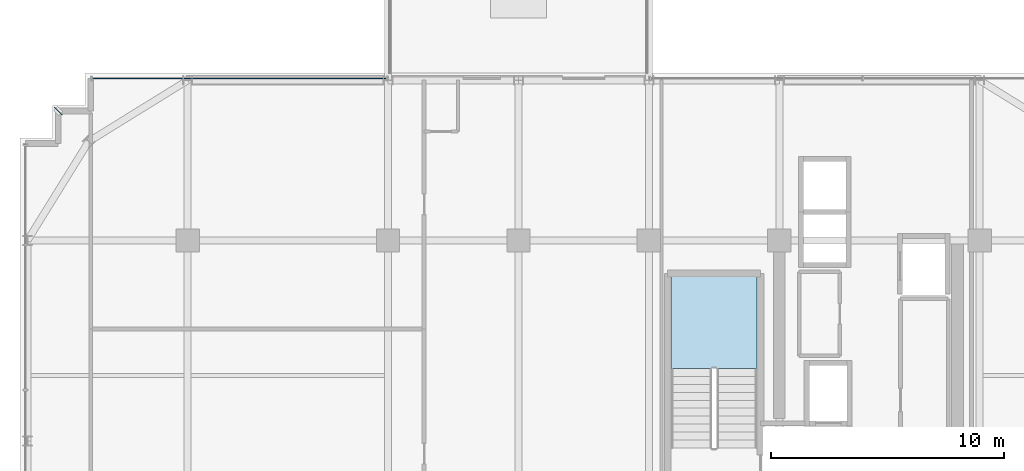
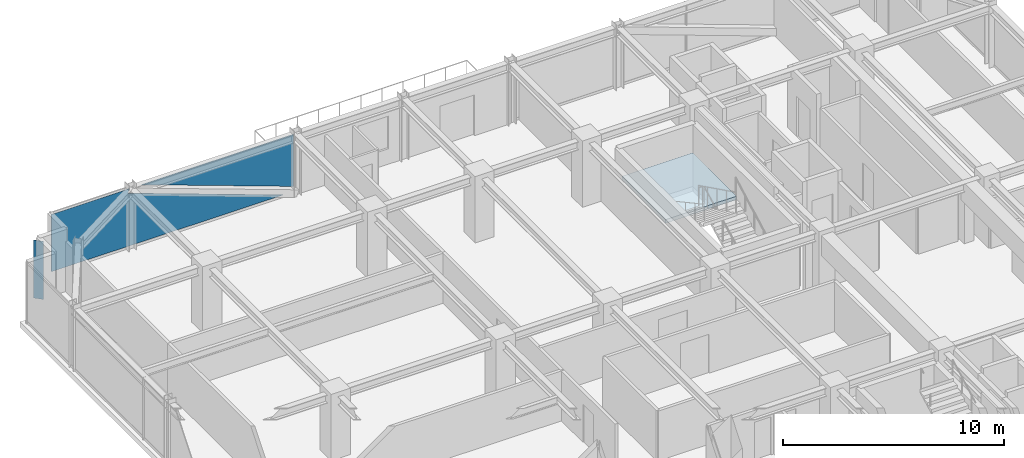
# One storey, part 33 of 42: 2 plates, 1 slab, 2 elements without a shape of their own.
"""IFC4 building model written with IfcOpenShell, lengths in metres."""

from ifc_helpers import new_model, si_unit, direction, frame, origin, origin_2d, place, context, subcontext, project, spatial, polyline, rectangle, outline, extrude, source, transform, mapped, material, layer, layer_set, type_object, element, aggregate, save


model = new_model("IFC4")

# Units and contexts
model_context = context("Model", 3, precision=1e-05, world=origin(), true_north=direction((0.0, 1.0)))
body_context = subcontext(model_context, "Body", "Model", "MODEL_VIEW")
ifc_project = project(units=[si_unit("LENGTHUNIT", "METRE"), si_unit("AREAUNIT", "SQUARE_METRE"), si_unit("VOLUMEUNIT", "CUBIC_METRE"), si_unit("PLANEANGLEUNIT", "RADIAN"), si_unit("MASSUNIT", "GRAM", prefix="KILO")], contexts=[model_context])

# Site, building, storey
site_placement = place(None, origin())
site = spatial("IfcSite", under=ifc_project, at=site_placement, CompositionType="ELEMENT")
building_placement = place(site_placement, origin())
building = spatial("IfcBuilding", under=site, at=building_placement, Name="Nahalor Promenade Grand Hotel", CompositionType="ELEMENT")
storey_placement = place(building_placement, frame((0.0, 0.0, 249.300048828125)))
storey = spatial("IfcBuildingStorey", under=building, at=storey_placement, Name="L64", CompositionType="ELEMENT", Elevation=249.300048828125)

# Curtain wall, plate
ifc_material_1 = material(Name="Anodised Bronze Aluminium EN AW-6063 T6", Category="aluminium")
curtain_wall_type = type_object("IfcCurtainWallType", Name="CW2 Typical Hotel Flush Bronze Unitised Curtain Wall", PredefinedType="USERDEFINED", material=ifc_material_1)
curtain_wall_placement = place(storey_placement, origin())
curtain_wall = element("IfcCurtainWall", 1, at=curtain_wall_placement, inside=storey, type_object=curtain_wall_type, Name="L64 Curtain Wall CW-L64-N-1", ObjectType="UNITISED_CURTAIN_WALL", PredefinedType="USERDEFINED")
ifc_material_2 = material(Name="Low-E Laminated Solar Glass", Category="glass")
ifc_layer_1 = layer(ifc_material_2, 0.028076171875)
ifc_layer_set_1 = layer_set([ifc_layer_1], Name="Low-E Laminated Solar Glass")
plate_type_1 = type_object("IfcPlateType", Name="CWP2 Bronze Low-E Vision IGU 28mm", PredefinedType="CURTAIN_PANEL", material=ifc_layer_set_1)
plate_1_placement = place(storey_placement, frame((-14.780029296875, 23.9599609375, 0.1298828125), z_axis=(0.0, 0.0, 1.0), x_axis=(1.0, 0.0, 0.0)))
plate_1 = element("IfcPlate", 2, at=plate_1_placement, type_object=plate_type_1, Name="CW-L64-N-1 Glazing Panel 0-0", PredefinedType="CURTAIN_PANEL", context=body_context, shape_type="SweptSolid", body=[
    extrude(outline(polyline([(-6.31494140625, 3.14990234375), (-6.31494140625, 0.0), (5.773681640625, 0.0), (-2.320068359375, 2.927001953125), (-2.2392578125, 3.14990234375), (-6.31494140625, 3.14990234375)])), frame((0.0, 0.01416015625, 0.0), z_axis=(0.0, -1.0, 0.0), x_axis=(1.0, 0.0, 0.0)), (0.0, 0.0, 1.0), 0.028076171875),
    extrude(outline(polyline([(6.31494140625, 0.28271484375), (6.31494140625, 3.14990234375), (-1.61376953125, 3.14990234375), (6.31494140625, 0.28271484375)])), frame((0.0, 0.01416015625, 0.0), z_axis=(0.0, -1.0, 0.0), x_axis=(1.0, 0.0, 0.0)), (0.0, 0.0, 1.0), 0.028076171875),
])
aggregate(curtain_wall, [plate_1])

# Stair, slab
ifc_material_3 = material(Name="Concrete B-50 (C40/50)", Category="concrete")
stair_type = type_object("IfcStairType", Name="Stair-ST1", PredefinedType="HALF_TURN_STAIR", material=ifc_material_3)
stair_placement = place(storey_placement, origin())
stair = element("IfcStair", 3, at=stair_placement, inside=storey, type_object=stair_type, Name="L64 ST1", PredefinedType="HALF_TURN_STAIR")
ifc_layer_2 = layer(ifc_material_3, 0.199951171875)
ifc_layer_set_2 = layer_set([ifc_layer_2], Name="Concrete B-50 (C40/50)")
slab_type = type_object("IfcSlabType", Name="Landing-ST1", PredefinedType="LANDING", material=ifc_layer_set_2)
slab_placement = place(storey_placement, frame((0.0, 0.0, 1.64990234375)))
slab = element("IfcSlab", 4, at=slab_placement, type_object=slab_type, Name="ST1 landing 1", PredefinedType="LANDING", context=body_context, shape_type="SweptSolid", body=[
    extrude(outline(polyline([(7.449951171875, 11.5), (7.449951171875, 15.449951171875), (3.75, 15.449951171875), (3.75, 11.5), (7.449951171875, 11.5)])), origin(), (0.0, 0.0, 1.0), 0.199951171875),
])
aggregate(stair, [slab])

# Plate
ifc_layer_3 = layer(ifc_material_1, 0.02001953125)
ifc_layer_set_3 = layer_set([ifc_layer_3], Name="Anodised Bronze Aluminium EN AW-6063 T6")
plate_type_2 = type_object("IfcPlateType", Name="Plate-CornerFin-20", PredefinedType="SHEET", material=ifc_layer_set_3)
shared_shape = source(origin(), body_context, "Body", "SweptSolid", [
    extrude(rectangle(XDim=0.449951171875, YDim=0.02001953125, at=origin_2d()), origin(), (0.0, 0.0, 1.0), 3.199951171875),
])
plate_2_placement = place(storey_placement, frame((-22.56005859375, 22.56005859375, 0.0), z_axis=(0.0, 0.0, 1.0), x_axis=(-0.707106781187, 0.707106781187, 0.0)))
element("IfcPlate", 5, at=plate_2_placement, inside=storey, type_object=plate_type_2, Name="FIN-L64-NW", PredefinedType="SHEET", context=body_context, shape_type="MappedRepresentation", body=[
    mapped(shared_shape, transform((0.0, 0.0, 0.0), scale=1.0)),
])

save(model, "model.ifc")
